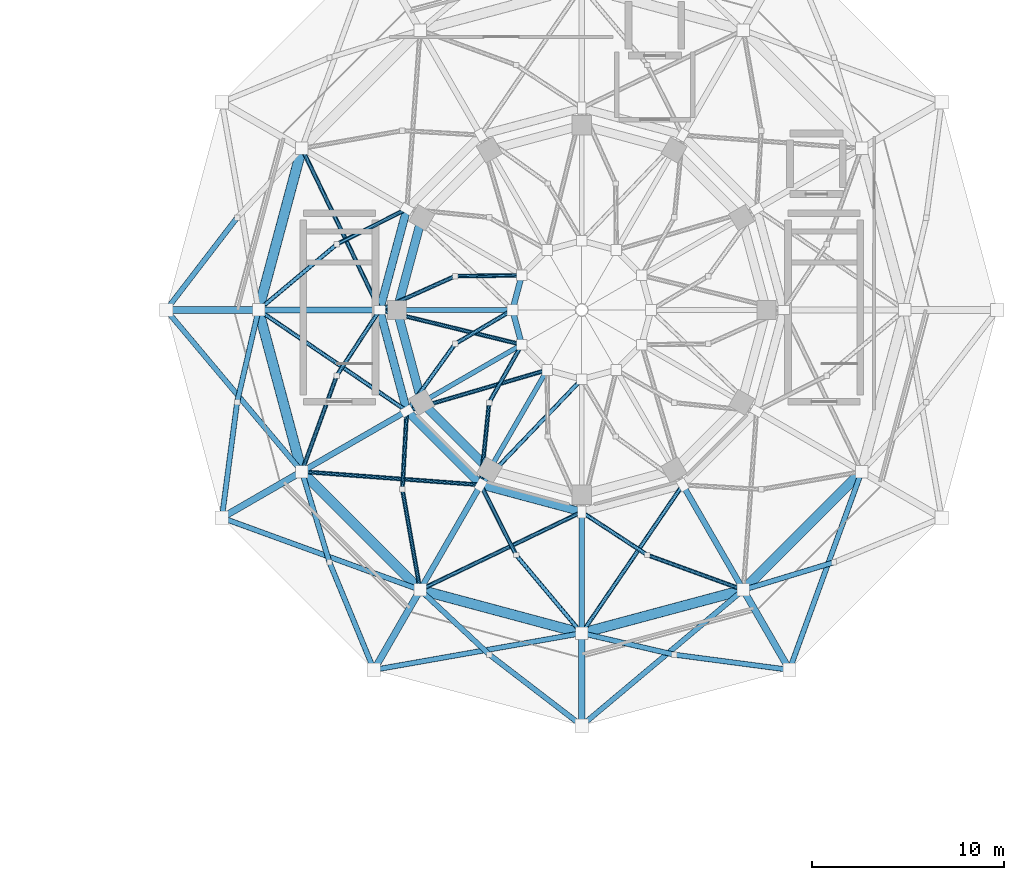
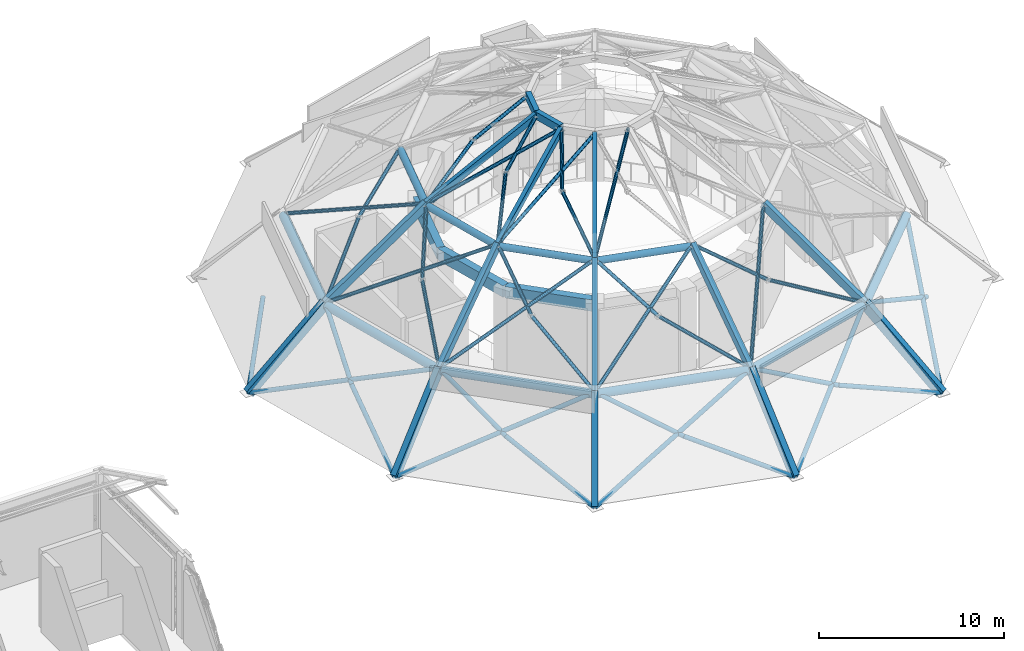
# One storey, part 21 of 32: 62 members, 5 beams.
"""IFC4 building model written with IfcOpenShell, lengths in metres."""

from ifc_helpers import new_model, si_unit, direction, frame, origin, origin_2d, place, context, subcontext, project, spatial, rectangle, hollow_rectangle, hollow_circle, extrude, material, material_profile, profile_set, type_object, element, save


model = new_model("IFC4")

# Units and contexts
model_context = context("Model", 3, precision=1e-05, world=origin(), true_north=direction((0.0, 1.0)))
body_context = subcontext(model_context, "Body", "Model", "MODEL_VIEW")
ifc_project = project(units=[si_unit("LENGTHUNIT", "METRE"), si_unit("AREAUNIT", "SQUARE_METRE"), si_unit("VOLUMEUNIT", "CUBIC_METRE"), si_unit("PLANEANGLEUNIT", "RADIAN"), si_unit("MASSUNIT", "GRAM", prefix="KILO")], contexts=[model_context])

# Site, building, storey
site_placement = place(None, origin())
site = spatial("IfcSite", under=ifc_project, at=site_placement, CompositionType="ELEMENT")
building_placement = place(site_placement, origin())
building = spatial("IfcBuilding", under=site, at=building_placement, Name="Haizhuo Lancet Aquarium", CompositionType="ELEMENT")
storey_placement = place(building_placement, frame((0.0, 0.0, 27.0)))
storey = spatial("IfcBuildingStorey", under=building, at=storey_placement, Name="L05", CompositionType="ELEMENT", Elevation=27.0)

# Beams
ifc_material_1 = material(Name="Steel S355", Category="steel")
ifc_material_profile_1 = material_profile(ifc_material_1, hollow_rectangle(XDim=0.300048828125, YDim=0.5, WallThickness=0.01611328125, at=origin_2d()), Name="RHS 300x500x16")
ifc_profile_set_1 = profile_set([ifc_material_profile_1], Name="Steel S355")
beam_type_1 = type_object("IfcBeamType", Name="BM-CR-RHS300x500", PredefinedType="USERDEFINED", material=ifc_profile_set_1)
for number, where, z_axis, x_axis, name in (
    (1, (-3.117919921875, 1.800048828125, 12.050048828125), (-0.258746999554, -0.965945127956, 0.0), (0.965945127956, -0.258746999554, 0.0), "Ocean Hall dome crown compression ring CR-1 seg 6"),
    (2, (-3.60009765625, 0.0, 12.050048828125), (0.258746999554, -0.965945127956, 0.0), (0.965945127956, 0.258746999554, 0.0), "Ocean Hall dome crown compression ring CR-1 seg 7"),
):
    element("IfcBeam", number, at=place(storey_placement, frame(where, z_axis=z_axis, x_axis=x_axis)), inside=storey, type_object=beam_type_1, Name=name, ObjectType="RING BEAM", PredefinedType="USERDEFINED", context=body_context, shape_type="SweptSolid", body=[
        extrude(hollow_rectangle(XDim=0.300048828125, YDim=0.5, WallThickness=0.01611328125, at=origin_2d()), origin(), (0.0, 0.0, 1.0), 1.863525390625),
    ])
ifc_material_2 = material(Name="Concrete C40/50", Category="concrete")
ifc_material_profile_2 = material_profile(ifc_material_2, rectangle(XDim=0.449951171875, YDim=0.75, at=origin_2d()), Name="RC-BM 450x750")
ifc_profile_set_2 = profile_set([ifc_material_profile_2], Name="Concrete C40/50")
beam_type_2 = type_object("IfcBeamType", Name="BM-RC-450x750", PredefinedType="BEAM", material=ifc_profile_set_2)
for number, where, z_axis, x_axis, name in (
    (3, (-8.31396484375, 4.800048828125, 5.02490234375), (-0.258812211902, -0.965927657214, 0.0), (0.965927657214, -0.258812211902, 0.0), "L05 inner observation ring beam 6"),
    (4, (-9.60009765625, 0.0, 5.02490234375), (0.258812211902, -0.965927657214, 0.0), (0.965927657214, 0.258812211902, 0.0), "L05 inner observation ring beam 7"),
    (5, (-8.31396484375, -4.800048828125, 5.02490234375), (0.707106781187, -0.707106781187, 0.0), (0.707106781187, 0.707106781187, 0.0), "L05 inner observation ring beam 8"),
):
    element("IfcBeam", number, at=place(storey_placement, frame(where, z_axis=z_axis, x_axis=x_axis)), inside=storey, type_object=beam_type_2, Name=name, PredefinedType="BEAM", context=body_context, shape_type="SweptSolid", body=[
        extrude(rectangle(XDim=0.449951171875, YDim=0.75, at=origin_2d()), origin(), (0.0, 0.0, 1.0), 4.969482421875),
    ])

# Members
ifc_material_profile_3 = material_profile(ifc_material_1, hollow_circle(Radius=0.109619140625, WallThickness=0.010009765625, at=origin_2d()), Name="CHS 219x10")
ifc_profile_set_3 = profile_set([ifc_material_profile_3], Name="Steel S355")
member_type_1 = type_object("IfcMemberType", Name="MEM-DB-CHS219", PredefinedType="BRACE", material=ifc_profile_set_3)
member_1_placement = place(storey_placement, frame((-14.549072265625, 8.39990234375, 4.25), z_axis=(0.393509606878, -0.816345585423, 0.422764798032), x_axis=(0.900805623694, 0.43422255621, 0.0)))
element("IfcMember", 6, at=member_1_placement, inside=storey, type_object=member_type_1, Name="Ocean Hall dome continuous diagonal brace A tier 2 bay 6", PredefinedType="BRACE", context=body_context, shape_type="SweptSolid", body=[
    extrude(hollow_circle(Radius=0.109619140625, WallThickness=0.010009765625, at=origin_2d()), origin(), (0.0, 0.0, 1.0), 10.28955078125),
])
member_2_placement = place(storey_placement, frame((-16.800048828125, 0.0, 4.25), z_axis=(0.708564996995, 0.595082221434, 0.379226574446), x_axis=(-0.643120878366, 0.765764673911, 0.0)))
element("IfcMember", 7, at=member_2_placement, inside=storey, type_object=member_type_1, Name="Ocean Hall dome split diagonal brace B1 tier 2 bay 6", PredefinedType="BRACE", context=body_context, shape_type="SweptSolid", body=[
    extrude(hollow_circle(Radius=0.109619140625, WallThickness=0.010009765625, at=origin_2d()), origin(), (0.0, 0.0, 1.0), 5.735595703125),
])
member_3_placement = place(storey_placement, frame((-12.736083984375, 3.4130859375, 6.425048828125), z_axis=(0.787940584289, 0.397296941174, 0.470430415858), x_axis=(-0.450226927379, 0.892914169371, 0.0)))
element("IfcMember", 8, at=member_3_placement, inside=storey, type_object=member_type_1, Name="Ocean Hall dome split diagonal brace B2 tier 2 bay 6", PredefinedType="BRACE", context=body_context, shape_type="SweptSolid", body=[
    extrude(hollow_circle(Radius=0.109619140625, WallThickness=0.010009765625, at=origin_2d()), origin(), (0.0, 0.0, 1.0), 4.62353515625),
])
member_4_placement = place(storey_placement, frame((-16.800048828125, 0.0, 4.25), z_axis=(0.748982344734, -0.510203888152, 0.422749854868), x_axis=(0.562985829353, 0.826466548596, 0.0)))
element("IfcMember", 9, at=member_4_placement, inside=storey, type_object=member_type_1, Name="Ocean Hall dome continuous diagonal brace A tier 2 bay 7", PredefinedType="BRACE", context=body_context, shape_type="SweptSolid", body=[
    extrude(hollow_circle(Radius=0.109619140625, WallThickness=0.010009765625, at=origin_2d()), origin(), (0.0, 0.0, 1.0), 10.2900390625),
])
member_5_placement = place(storey_placement, frame((-14.549072265625, -8.39990234375, 4.25), z_axis=(0.316146806063, 0.869595294997, 0.379282506762), x_axis=(-0.93981760202, 0.3416765648, 0.0)))
element("IfcMember", 10, at=member_5_placement, inside=storey, type_object=member_type_1, Name="Ocean Hall dome split diagonal brace B1 tier 2 bay 7", PredefinedType="BRACE", context=body_context, shape_type="SweptSolid", body=[
    extrude(hollow_circle(Radius=0.109619140625, WallThickness=0.010009765625, at=origin_2d()), origin(), (0.0, 0.0, 1.0), 5.734619140625),
])
member_6_placement = place(storey_placement, frame((-12.736083984375, -3.4130859375, 6.425048828125), z_axis=(0.483597007113, 0.738146758319, 0.470396957787), x_axis=(-0.836469641538, 0.548013265154, 0.0)))
element("IfcMember", 11, at=member_6_placement, inside=storey, type_object=member_type_1, Name="Ocean Hall dome split diagonal brace B2 tier 2 bay 7", PredefinedType="BRACE", context=body_context, shape_type="SweptSolid", body=[
    extrude(hollow_circle(Radius=0.109619140625, WallThickness=0.010009765625, at=origin_2d()), origin(), (0.0, 0.0, 1.0), 4.623779296875),
])
member_7_placement = place(storey_placement, frame((-14.549072265625, -8.39990234375, 4.25), z_axis=(0.903732348339, -0.067360553885, 0.422765181094), x_axis=(0.074329767691, 0.997233716656, 0.0)))
element("IfcMember", 12, at=member_7_placement, inside=storey, type_object=member_type_1, Name="Ocean Hall dome continuous diagonal brace A tier 2 bay 8", PredefinedType="BRACE", context=body_context, shape_type="SweptSolid", body=[
    extrude(hollow_circle(Radius=0.109619140625, WallThickness=0.010009765625, at=origin_2d()), origin(), (0.0, 0.0, 1.0), 10.28955078125),
])
member_8_placement = place(storey_placement, frame((-8.39990234375, -14.549072265625, 4.25), z_axis=(-0.160947093564, 0.911196372611, 0.379232387349), x_axis=(-0.984756222272, -0.173940169878, 0.0)))
element("IfcMember", 13, at=member_8_placement, inside=storey, type_object=member_type_1, Name="Ocean Hall dome split diagonal brace B1 tier 2 bay 8", PredefinedType="BRACE", context=body_context, shape_type="SweptSolid", body=[
    extrude(hollow_circle(Radius=0.109619140625, WallThickness=0.010009765625, at=origin_2d()), origin(), (0.0, 0.0, 1.0), 5.7353515625),
])
member_9_placement = place(storey_placement, frame((-9.322998046875, -9.322998046875, 6.425048828125), z_axis=(0.049745957009, 0.88101040422, 0.47047423672), x_axis=(-0.998409672596, 0.056374867325, 0.0)))
element("IfcMember", 14, at=member_9_placement, inside=storey, type_object=member_type_1, Name="Ocean Hall dome split diagonal brace B2 tier 2 bay 8", PredefinedType="BRACE", context=body_context, shape_type="SweptSolid", body=[
    extrude(hollow_circle(Radius=0.109619140625, WallThickness=0.010009765625, at=origin_2d()), origin(), (0.0, 0.0, 1.0), 4.623046875),
])
member_10_placement = place(storey_placement, frame((-8.39990234375, -14.549072265625, 4.25), z_axis=(0.816345585423, 0.393509606878, 0.422764798032), x_axis=(-0.43422255621, 0.900805623694, 0.0)))
element("IfcMember", 15, at=member_10_placement, inside=storey, type_object=member_type_1, Name="Ocean Hall dome continuous diagonal brace A tier 2 bay 9", PredefinedType="BRACE", context=body_context, shape_type="SweptSolid", body=[
    extrude(hollow_circle(Radius=0.109619140625, WallThickness=0.010009765625, at=origin_2d()), origin(), (0.0, 0.0, 1.0), 10.28955078125),
])
member_11_placement = place(storey_placement, frame((0.0, -16.800048828125, 4.25), z_axis=(-0.595082221434, 0.708564996995, 0.379226574446), x_axis=(-0.765764673911, -0.643120878366, 0.0)))
element("IfcMember", 16, at=member_11_placement, inside=storey, type_object=member_type_1, Name="Ocean Hall dome split diagonal brace B1 tier 2 bay 9", PredefinedType="BRACE", context=body_context, shape_type="SweptSolid", body=[
    extrude(hollow_circle(Radius=0.109619140625, WallThickness=0.010009765625, at=origin_2d()), origin(), (0.0, 0.0, 1.0), 5.735595703125),
])
member_12_placement = place(storey_placement, frame((-3.4130859375, -12.736083984375, 6.425048828125), z_axis=(-0.397296941174, 0.787940584289, 0.470430415858), x_axis=(-0.892914169371, -0.450226927379, 0.0)))
element("IfcMember", 17, at=member_12_placement, inside=storey, type_object=member_type_1, Name="Ocean Hall dome split diagonal brace B2 tier 2 bay 9", PredefinedType="BRACE", context=body_context, shape_type="SweptSolid", body=[
    extrude(hollow_circle(Radius=0.109619140625, WallThickness=0.010009765625, at=origin_2d()), origin(), (0.0, 0.0, 1.0), 4.62353515625),
])
member_13_placement = place(storey_placement, frame((0.0, -16.800048828125, 4.25), z_axis=(0.510203888152, 0.748982344734, 0.422749854868), x_axis=(-0.826466548596, 0.562985829353, 0.0)))
element("IfcMember", 18, at=member_13_placement, inside=storey, type_object=member_type_1, Name="Ocean Hall dome continuous diagonal brace A tier 2 bay 10", PredefinedType="BRACE", context=body_context, shape_type="SweptSolid", body=[
    extrude(hollow_circle(Radius=0.109619140625, WallThickness=0.010009765625, at=origin_2d()), origin(), (0.0, 0.0, 1.0), 10.2900390625),
])
member_14_placement = place(storey_placement, frame((8.39990234375, -14.549072265625, 4.25), z_axis=(-0.869595294997, 0.316146806063, 0.379282506762), x_axis=(-0.3416765648, -0.93981760202, 0.0)))
element("IfcMember", 19, at=member_14_placement, inside=storey, type_object=member_type_1, Name="Ocean Hall dome split diagonal brace B1 tier 2 bay 10", PredefinedType="BRACE", context=body_context, shape_type="SweptSolid", body=[
    extrude(hollow_circle(Radius=0.109619140625, WallThickness=0.010009765625, at=origin_2d()), origin(), (0.0, 0.0, 1.0), 5.734619140625),
])
member_15_placement = place(storey_placement, frame((3.4130859375, -12.736083984375, 6.425048828125), z_axis=(-0.738146758319, 0.483597007113, 0.470396957787), x_axis=(-0.548013265154, -0.836469641538, 0.0)))
element("IfcMember", 20, at=member_15_placement, inside=storey, type_object=member_type_1, Name="Ocean Hall dome split diagonal brace B2 tier 2 bay 10", PredefinedType="BRACE", context=body_context, shape_type="SweptSolid", body=[
    extrude(hollow_circle(Radius=0.109619140625, WallThickness=0.010009765625, at=origin_2d()), origin(), (0.0, 0.0, 1.0), 4.623779296875),
])
member_16_placement = place(storey_placement, frame((-10.5, 0.0, 8.60009765625), z_axis=(0.846601621079, 0.380325172694, 0.372314998626), x_axis=(-0.409786163738, 0.912181615693, 0.0)))
element("IfcMember", 21, at=member_16_placement, inside=storey, type_object=member_type_1, Name="Ocean Hall dome split diagonal brace B1 tier 3 bay 6", PredefinedType="BRACE", context=body_context, shape_type="SweptSolid", body=[
    extrude(hollow_circle(Radius=0.109619140625, WallThickness=0.010009765625, at=origin_2d()), origin(), (0.0, 0.0, 1.0), 4.6328125),
])
member_17_placement = place(storey_placement, frame((-6.577880859375, 1.761962890625, 10.324951171875), z_axis=(0.894888382869, 0.009850591852, 0.446181295043), x_axis=(-0.011006953837, 0.999939421649, 0.0)))
element("IfcMember", 22, at=member_17_placement, inside=storey, type_object=member_type_1, Name="Ocean Hall dome split diagonal brace B2 tier 3 bay 6", PredefinedType="BRACE", context=body_context, shape_type="SweptSolid", body=[
    extrude(hollow_circle(Radius=0.109619140625, WallThickness=0.010009765625, at=origin_2d()), origin(), (0.0, 0.0, 1.0), 3.866455078125),
])
member_18_placement = place(storey_placement, frame((-10.5, 0.0, 8.60009765625), z_axis=(0.884621188184, -0.215706320749, 0.413420048624), x_axis=(0.236899225018, 0.97153422852, 0.0)))
element("IfcMember", 23, at=member_18_placement, inside=storey, type_object=member_type_1, Name="Ocean Hall dome continuous diagonal brace A tier 3 bay 7", PredefinedType="BRACE", context=body_context, shape_type="SweptSolid", body=[
    extrude(hollow_circle(Radius=0.109619140625, WallThickness=0.010009765625, at=origin_2d()), origin(), (0.0, 0.0, 1.0), 8.344970703125),
])
member_19_placement = place(storey_placement, frame((-9.093017578125, -5.25, 8.60009765625), z_axis=(0.542839593795, 0.752819770584, 0.372273512926), x_axis=(-0.811120632133, 0.584878893556, 0.0)))
element("IfcMember", 24, at=member_19_placement, inside=storey, type_object=member_type_1, Name="Ocean Hall dome split diagonal brace B1 tier 3 bay 7", PredefinedType="BRACE", context=body_context, shape_type="SweptSolid", body=[
    extrude(hollow_circle(Radius=0.109619140625, WallThickness=0.010009765625, at=origin_2d()), origin(), (0.0, 0.0, 1.0), 4.63330078125),
])
member_20_placement = place(storey_placement, frame((-6.577880859375, -1.761962890625, 10.324951171875), z_axis=(0.770205037634, 0.455732537231, 0.446197326877), x_axis=(-0.509235574509, 0.860627172273, 0.0)))
element("IfcMember", 25, at=member_20_placement, inside=storey, type_object=member_type_1, Name="Ocean Hall dome split diagonal brace B2 tier 3 bay 7", PredefinedType="BRACE", context=body_context, shape_type="SweptSolid", body=[
    extrude(hollow_circle(Radius=0.109619140625, WallThickness=0.010009765625, at=origin_2d()), origin(), (0.0, 0.0, 1.0), 3.8662109375),
])
member_21_placement = place(storey_placement, frame((-9.093017578125, -5.25, 8.60009765625), z_axis=(0.87395598208, 0.255498714231, 0.41342635186), x_axis=(-0.28060205853, 0.959824194709, 0.0)))
element("IfcMember", 26, at=member_21_placement, inside=storey, type_object=member_type_1, Name="Ocean Hall dome continuous diagonal brace A tier 3 bay 8", PredefinedType="BRACE", context=body_context, shape_type="SweptSolid", body=[
    extrude(hollow_circle(Radius=0.109619140625, WallThickness=0.010009765625, at=origin_2d()), origin(), (0.0, 0.0, 1.0), 8.3447265625),
])
member_22_placement = place(storey_placement, frame((-5.25, -9.093017578125, 8.60009765625), z_axis=(0.093900701604, 0.923356899106, 0.372283084642), x_axis=(-0.994868837291, 0.101173102097, 0.0)))
element("IfcMember", 27, at=member_22_placement, inside=storey, type_object=member_type_1, Name="Ocean Hall dome split diagonal brace B1 tier 3 bay 8", PredefinedType="BRACE", context=body_context, shape_type="SweptSolid", body=[
    extrude(hollow_circle(Radius=0.109619140625, WallThickness=0.010009765625, at=origin_2d()), origin(), (0.0, 0.0, 1.0), 4.633056640625),
])
member_23_placement = place(storey_placement, frame((-4.81494140625, -4.81494140625, 10.324951171875), z_axis=(0.438968404685, 0.779862009705, 0.446230865704), x_axis=(-0.871434157136, 0.490512497065, 0.0)))
element("IfcMember", 28, at=member_23_placement, inside=storey, type_object=member_type_1, Name="Ocean Hall dome split diagonal brace B2 tier 3 bay 8", PredefinedType="BRACE", context=body_context, shape_type="SweptSolid", body=[
    extrude(hollow_circle(Radius=0.109619140625, WallThickness=0.010009765625, at=origin_2d()), origin(), (0.0, 0.0, 1.0), 3.865966796875),
])
member_24_placement = place(storey_placement, frame((-5.25, -9.093017578125, 8.60009765625), z_axis=(0.629129137483, 0.658239232898, 0.413421867642), x_axis=(-0.722911155551, 0.690940996887, 0.0)))
element("IfcMember", 29, at=member_24_placement, inside=storey, type_object=member_type_1, Name="Ocean Hall dome continuous diagonal brace A tier 3 bay 9", PredefinedType="BRACE", context=body_context, shape_type="SweptSolid", body=[
    extrude(hollow_circle(Radius=0.109619140625, WallThickness=0.010009765625, at=origin_2d()), origin(), (0.0, 0.0, 1.0), 8.344970703125),
])
ifc_material_profile_4 = material_profile(ifc_material_1, hollow_circle(Radius=0.136474609375, WallThickness=0.011962890625, at=origin_2d()), Name="CHS 273x12")
ifc_profile_set_4 = profile_set([ifc_material_profile_4], Name="Steel S355")
member_type_2 = type_object("IfcMemberType", Name="MEM-DB-CHS273", PredefinedType="BRACE", material=ifc_profile_set_4)
member_25_placement = place(storey_placement, frame((-21.60009765625, 0.0, 0.0), z_axis=(0.574661053611, 0.74833825507, 0.331292211593), x_axis=(-0.793127595343, 0.609055512664, 0.0)))
element("IfcMember", 30, at=member_25_placement, inside=storey, type_object=member_type_2, Name="Ocean Hall dome split diagonal brace B1 tier 1 bay 6", PredefinedType="BRACE", context=body_context, shape_type="SweptSolid", body=[
    extrude(hollow_circle(Radius=0.136474609375, WallThickness=0.011962890625, at=origin_2d()), origin(), (0.0, 0.0, 1.0), 6.414306640625),
])
member_26_placement = place(storey_placement, frame((-21.60009765625, 0.0, 0.0), z_axis=(0.59948982626, -0.714173573017, 0.361342020551), x_axis=(0.765924531019, 0.642930488298, 0.0)))
element("IfcMember", 31, at=member_26_placement, inside=storey, type_object=member_type_2, Name="Ocean Hall dome continuous diagonal brace A tier 1 bay 7", PredefinedType="BRACE", context=body_context, shape_type="SweptSolid", body=[
    extrude(hollow_circle(Radius=0.136474609375, WallThickness=0.011962890625, at=origin_2d()), origin(), (0.0, 0.0, 1.0), 11.76171875),
])
member_27_placement = place(storey_placement, frame((-18.7060546875, -10.800048828125, 0.0), z_axis=(0.123473446542, 0.935414125222, 0.331292502683), x_axis=(-0.991400387629, 0.130863560281, 0.0)))
element("IfcMember", 32, at=member_27_placement, inside=storey, type_object=member_type_2, Name="Ocean Hall dome split diagonal brace B1 tier 1 bay 7", PredefinedType="BRACE", context=body_context, shape_type="SweptSolid", body=[
    extrude(hollow_circle(Radius=0.136474609375, WallThickness=0.011962890625, at=origin_2d()), origin(), (0.0, 0.0, 1.0), 6.414306640625),
])
member_28_placement = place(storey_placement, frame((-17.9140625, -4.800048828125, 2.125), z_axis=(0.207594570733, 0.894481011437, 0.395990169551), x_axis=(-0.974109866118, 0.226075139571, 0.0)))
element("IfcMember", 33, at=member_28_placement, inside=storey, type_object=member_type_2, Name="Ocean Hall dome split diagonal brace B2 tier 1 bay 7", PredefinedType="BRACE", context=body_context, shape_type="SweptSolid", body=[
    extrude(hollow_circle(Radius=0.136474609375, WallThickness=0.011962890625, at=origin_2d()), origin(), (0.0, 0.0, 1.0), 5.3662109375),
])
member_29_placement = place(storey_placement, frame((-18.7060546875, -10.800048828125, 0.0), z_axis=(0.876256756089, -0.318752043078, 0.361346416118), x_axis=(0.341850306895, 0.939754418811, 0.0)))
element("IfcMember", 34, at=member_29_placement, inside=storey, type_object=member_type_2, Name="Ocean Hall dome continuous diagonal brace A tier 1 bay 8", PredefinedType="BRACE", context=body_context, shape_type="SweptSolid", body=[
    extrude(hollow_circle(Radius=0.136474609375, WallThickness=0.011962890625, at=origin_2d()), origin(), (0.0, 0.0, 1.0), 11.761474609375),
])
member_30_placement = place(storey_placement, frame((-10.800048828125, -18.7060546875, 0.0), z_axis=(-0.360760877584, 0.871832443665, 0.33130013489), x_axis=(-0.924015849485, -0.382354168148, 0.0)))
element("IfcMember", 35, at=member_30_placement, inside=storey, type_object=member_type_2, Name="Ocean Hall dome split diagonal brace B1 tier 1 bay 8", PredefinedType="BRACE", context=body_context, shape_type="SweptSolid", body=[
    extrude(hollow_circle(Radius=0.136474609375, WallThickness=0.011962890625, at=origin_2d()), origin(), (0.0, 0.0, 1.0), 6.4140625),
])
member_31_placement = place(storey_placement, frame((-13.114013671875, -13.114013671875, 2.125), z_axis=(-0.267417298533, 0.878455361923, 0.395985057236), x_axis=(-0.95665527785, -0.291222731535, 0.0)))
element("IfcMember", 36, at=member_31_placement, inside=storey, type_object=member_type_2, Name="Ocean Hall dome split diagonal brace B2 tier 1 bay 8", PredefinedType="BRACE", context=body_context, shape_type="SweptSolid", body=[
    extrude(hollow_circle(Radius=0.136474609375, WallThickness=0.011962890625, at=origin_2d()), origin(), (0.0, 0.0, 1.0), 5.366455078125),
])
member_32_placement = place(storey_placement, frame((-10.800048828125, -18.7060546875, 0.0), z_axis=(0.918242656278, 0.162052589858, 0.361343856059), x_axis=(-0.173795493508, 0.984781765893, 0.0)))
element("IfcMember", 37, at=member_32_placement, inside=storey, type_object=member_type_2, Name="Ocean Hall dome continuous diagonal brace A tier 1 bay 9", PredefinedType="BRACE", context=body_context, shape_type="SweptSolid", body=[
    extrude(hollow_circle(Radius=0.136474609375, WallThickness=0.011962890625, at=origin_2d()), origin(), (0.0, 0.0, 1.0), 11.76171875),
])
member_33_placement = place(storey_placement, frame((0.0, -21.60009765625, 0.0), z_axis=(-0.74833825507, 0.574661053611, 0.331292211593), x_axis=(-0.609055512664, -0.793127595343, 0.0)))
element("IfcMember", 38, at=member_33_placement, inside=storey, type_object=member_type_2, Name="Ocean Hall dome split diagonal brace B1 tier 1 bay 9", PredefinedType="BRACE", context=body_context, shape_type="SweptSolid", body=[
    extrude(hollow_circle(Radius=0.136474609375, WallThickness=0.011962890625, at=origin_2d()), origin(), (0.0, 0.0, 1.0), 6.414306640625),
])
member_34_placement = place(storey_placement, frame((-4.800048828125, -17.9140625, 2.125), z_axis=(-0.670819539357, 0.627053625701, 0.395985979692), x_axis=(-0.682874106521, -0.730536073471, 0.0)))
element("IfcMember", 39, at=member_34_placement, inside=storey, type_object=member_type_2, Name="Ocean Hall dome split diagonal brace B2 tier 1 bay 9", PredefinedType="BRACE", context=body_context, shape_type="SweptSolid", body=[
    extrude(hollow_circle(Radius=0.136474609375, WallThickness=0.011962890625, at=origin_2d()), origin(), (0.0, 0.0, 1.0), 5.366455078125),
])
member_35_placement = place(storey_placement, frame((0.0, -21.60009765625, 0.0), z_axis=(0.714173573017, 0.59948982626, 0.361342020551), x_axis=(-0.642930488298, 0.765924531019, 0.0)))
element("IfcMember", 40, at=member_35_placement, inside=storey, type_object=member_type_2, Name="Ocean Hall dome continuous diagonal brace A tier 1 bay 10", PredefinedType="BRACE", context=body_context, shape_type="SweptSolid", body=[
    extrude(hollow_circle(Radius=0.136474609375, WallThickness=0.011962890625, at=origin_2d()), origin(), (0.0, 0.0, 1.0), 11.76171875),
])
member_36_placement = place(storey_placement, frame((10.800048828125, -18.7060546875, 0.0), z_axis=(-0.935414125222, 0.123473446542, 0.331292502683), x_axis=(-0.130863560281, -0.991400387629, 0.0)))
element("IfcMember", 41, at=member_36_placement, inside=storey, type_object=member_type_2, Name="Ocean Hall dome split diagonal brace B1 tier 1 bay 10", PredefinedType="BRACE", context=body_context, shape_type="SweptSolid", body=[
    extrude(hollow_circle(Radius=0.136474609375, WallThickness=0.011962890625, at=origin_2d()), origin(), (0.0, 0.0, 1.0), 6.414306640625),
])
member_37_placement = place(storey_placement, frame((4.800048828125, -17.9140625, 2.125), z_axis=(-0.894481011437, 0.207594570733, 0.395990169551), x_axis=(-0.226075139571, -0.974109866118, 0.0)))
element("IfcMember", 42, at=member_37_placement, inside=storey, type_object=member_type_2, Name="Ocean Hall dome split diagonal brace B2 tier 1 bay 10", PredefinedType="BRACE", context=body_context, shape_type="SweptSolid", body=[
    extrude(hollow_circle(Radius=0.136474609375, WallThickness=0.011962890625, at=origin_2d()), origin(), (0.0, 0.0, 1.0), 5.3662109375),
])
member_38_placement = place(storey_placement, frame((10.800048828125, -18.7060546875, 0.0), z_axis=(0.318752043078, 0.876256756089, 0.361346416118), x_axis=(-0.939754418811, 0.341850306895, 0.0)))
element("IfcMember", 43, at=member_38_placement, inside=storey, type_object=member_type_2, Name="Ocean Hall dome continuous diagonal brace A tier 1 bay 11", PredefinedType="BRACE", context=body_context, shape_type="SweptSolid", body=[
    extrude(hollow_circle(Radius=0.136474609375, WallThickness=0.011962890625, at=origin_2d()), origin(), (0.0, 0.0, 1.0), 11.761474609375),
])
member_39_placement = place(storey_placement, frame((13.114013671875, -13.114013671875, 2.125), z_axis=(-0.878455361923, -0.267417298533, 0.395985057236), x_axis=(0.291222731535, -0.95665527785, 0.0)))
element("IfcMember", 44, at=member_39_placement, inside=storey, type_object=member_type_2, Name="Ocean Hall dome split diagonal brace B2 tier 1 bay 11", PredefinedType="BRACE", context=body_context, shape_type="SweptSolid", body=[
    extrude(hollow_circle(Radius=0.136474609375, WallThickness=0.011962890625, at=origin_2d()), origin(), (0.0, 0.0, 1.0), 5.366455078125),
])
ifc_material_profile_5 = material_profile(ifc_material_1, hollow_rectangle(XDim=0.25, YDim=0.39990234375, WallThickness=0.013916015625, at=origin_2d()), Name="RHS 250x400x14")
ifc_profile_set_5 = profile_set([ifc_material_profile_5], Name="Steel S355")
member_type_3 = type_object("IfcMemberType", Name="MEM-DR-RHS250x400", PredefinedType="USERDEFINED", material=ifc_profile_set_5)
member_40_placement = place(storey_placement, frame((-10.5, 0.0, 8.60009765625), z_axis=(0.894427191, 0.0, 0.4472135955), x_axis=(0.0, 1.0, 0.0)))
element("IfcMember", 45, at=member_40_placement, inside=storey, type_object=member_type_3, Name="Ocean Hall dome arch rib DR-3 bay 7", ObjectType="ARCH_SEGMENT", PredefinedType="USERDEFINED", context=body_context, shape_type="SweptSolid", body=[
    extrude(hollow_rectangle(XDim=0.25, YDim=0.39990234375, WallThickness=0.013916015625, at=origin_2d()), origin(), (0.0, 0.0, 1.0), 7.71435546875),
])
for number, where, z_axis, x_axis, name in (
    (46, (-9.093017578125, -5.25, 8.60009765625), (0.774576287403, 0.44723124611, 0.44723124611), (-0.500024667842, 0.866011161331, 0.0), "Ocean Hall dome arch rib DR-3 bay 8"),
    (47, (-5.25, -9.093017578125, 8.60009765625), (0.44723124611, 0.774576287403, 0.44723124611), (-0.866011161331, 0.500024667842, 0.0), "Ocean Hall dome arch rib DR-3 bay 9"),
):
    element("IfcMember", number, at=place(storey_placement, frame(where, z_axis=z_axis, x_axis=x_axis)), inside=storey, type_object=member_type_3, Name=name, ObjectType="ARCH_SEGMENT", PredefinedType="USERDEFINED", context=body_context, shape_type="SweptSolid", body=[
        extrude(hollow_rectangle(XDim=0.25, YDim=0.39990234375, WallThickness=0.013916015625, at=origin_2d()), origin(), (0.0, 0.0, 1.0), 7.714111328125),
    ])
ifc_material_profile_6 = material_profile(ifc_material_1, hollow_rectangle(XDim=0.300048828125, YDim=0.5, WallThickness=0.01611328125, at=origin_2d()), Name="RHS 300x500x16")
ifc_profile_set_6 = profile_set([ifc_material_profile_6], Name="Steel S355")
member_type_4 = type_object("IfcMemberType", Name="MEM-DR-RHS300x500", PredefinedType="USERDEFINED", material=ifc_profile_set_6)
for number, where, z_axis, x_axis, name in (
    (48, (-16.800048828125, 0.0, 4.25), (0.82289299557, 0.0, 0.568196372605), (0.0, 1.0, 0.0), "Ocean Hall dome arch rib DR-2 bay 7"),
    (49, (-14.549072265625, -8.39990234375, 4.25), (0.712654279419, 0.411431247229, 0.568197330889), (-0.499981869177, 0.866035871367, 0.0), "Ocean Hall dome arch rib DR-2 bay 8"),
    (50, (-8.39990234375, -14.549072265625, 4.25), (0.411431247229, 0.712654279419, 0.568197330889), (-0.866035871367, 0.499981869177, 0.0), "Ocean Hall dome arch rib DR-2 bay 9"),
    (51, (0.0, -16.800048828125, 4.25), (0.0, 0.82289299557, 0.568196372605), (-1.0, 0.0, 0.0), "Ocean Hall dome arch rib DR-2 bay 10"),
    (52, (8.39990234375, -14.549072265625, 4.25), (-0.411431247229, 0.712654279419, 0.568197330889), (-0.866035871367, -0.499981869177, 0.0), "Ocean Hall dome arch rib DR-2 bay 11"),
):
    element("IfcMember", number, at=place(storey_placement, frame(where, z_axis=z_axis, x_axis=x_axis)), inside=storey, type_object=member_type_4, Name=name, ObjectType="ARCH_SEGMENT", PredefinedType="USERDEFINED", context=body_context, shape_type="SweptSolid", body=[
        extrude(hollow_rectangle(XDim=0.300048828125, YDim=0.5, WallThickness=0.01611328125, at=origin_2d()), origin(), (0.0, 0.0, 1.0), 7.656005859375),
    ])
ifc_material_profile_7 = material_profile(ifc_material_1, hollow_rectangle(XDim=0.35009765625, YDim=0.60009765625, WallThickness=0.02001953125, at=origin_2d()), Name="RHS 350x600x20")
ifc_profile_set_7 = profile_set([ifc_material_profile_7], Name="Steel S355")
member_type_5 = type_object("IfcMemberType", Name="MEM-DR-RHS350x600", PredefinedType="USERDEFINED", material=ifc_profile_set_7)
for number, where, z_axis, x_axis, name in (
    (53, (-21.60009765625, 0.0, 0.0), (0.74870211469, 0.0, 0.66290658728), (0.0, 1.0, 0.0), "Ocean Hall dome arch rib DR-1 bay 7"),
    (54, (-18.7060546875, -10.800048828125, 0.0), (0.648392074602, 0.374366740202, 0.662900642196), (-0.500017431331, 0.866015339567, 0.0), "Ocean Hall dome arch rib DR-1 bay 8"),
    (55, (-10.800048828125, -18.7060546875, 0.0), (0.374366740202, 0.648392074602, 0.662900642196), (-0.866015339567, 0.500017431331, 0.0), "Ocean Hall dome arch rib DR-1 bay 9"),
    (56, (0.0, -21.60009765625, 0.0), (0.0, 0.74870211469, 0.66290658728), (-1.0, 0.0, 0.0), "Ocean Hall dome arch rib DR-1 bay 10"),
    (57, (10.800048828125, -18.7060546875, 0.0), (-0.374366740202, 0.648392074602, 0.662900642196), (-0.866015339567, -0.500017431331, 0.0), "Ocean Hall dome arch rib DR-1 bay 11"),
):
    element("IfcMember", number, at=place(storey_placement, frame(where, z_axis=z_axis, x_axis=x_axis)), inside=storey, type_object=member_type_5, Name=name, ObjectType="ARCH_SEGMENT", PredefinedType="USERDEFINED", context=body_context, shape_type="SweptSolid", body=[
        extrude(hollow_rectangle(XDim=0.35009765625, YDim=0.60009765625, WallThickness=0.02001953125, at=origin_2d()), origin(), (0.0, 0.0, 1.0), 6.4111328125),
    ])
ifc_material_profile_8 = material_profile(ifc_material_1, hollow_circle(Radius=0.212890625, WallThickness=0.01611328125, at=origin_2d()), Name="CHS 426x16")
ifc_profile_set_8 = profile_set([ifc_material_profile_8], Name="Steel S355")
member_type_6 = type_object("IfcMemberType", Name="MEM-PR-CHS426", PredefinedType="PURLIN", material=ifc_profile_set_8)
for number, where, z_axis, x_axis, name in (
    (58, (-9.093017578125, 5.25, 8.47998046875), (-0.258861815711, -0.965914364924, 0.0), (0.965914364924, -0.258861815711, 0.0), "Ocean Hall dome hoop purlin ring R2 seg 6"),
    (59, (-10.5, 0.0, 8.47998046875), (0.258861815711, -0.965914364924, 0.0), (0.965914364924, 0.258861815711, 0.0), "Ocean Hall dome hoop purlin ring R2 seg 7"),
):
    element("IfcMember", number, at=place(storey_placement, frame(where, z_axis=z_axis, x_axis=x_axis)), inside=storey, type_object=member_type_6, Name=name, PredefinedType="PURLIN", context=body_context, shape_type="SweptSolid", body=[
        extrude(hollow_circle(Radius=0.212890625, WallThickness=0.01611328125, at=origin_2d()), origin(), (0.0, 0.0, 1.0), 5.435302734375),
    ])
member_41_placement = place(storey_placement, frame((-9.093017578125, -5.25, 8.47998046875), z_axis=(0.707106781187, -0.707106781187, 0.0), x_axis=(0.707106781187, 0.707106781187, 0.0)))
element("IfcMember", 60, at=member_41_placement, inside=storey, type_object=member_type_6, Name="Ocean Hall dome hoop purlin ring R2 seg 8", PredefinedType="PURLIN", context=body_context, shape_type="SweptSolid", body=[
    extrude(hollow_circle(Radius=0.212890625, WallThickness=0.01611328125, at=origin_2d()), origin(), (0.0, 0.0, 1.0), 5.434814453125),
])
member_42_placement = place(storey_placement, frame((-5.25, -9.093017578125, 8.47998046875), z_axis=(0.965914364924, -0.258861815711, 0.0), x_axis=(0.258861815711, 0.965914364924, 0.0)))
element("IfcMember", 61, at=member_42_placement, inside=storey, type_object=member_type_6, Name="Ocean Hall dome hoop purlin ring R2 seg 9", PredefinedType="PURLIN", context=body_context, shape_type="SweptSolid", body=[
    extrude(hollow_circle(Radius=0.212890625, WallThickness=0.01611328125, at=origin_2d()), origin(), (0.0, 0.0, 1.0), 5.435302734375),
])
ifc_material_profile_9 = material_profile(ifc_material_1, hollow_circle(Radius=0.264892578125, WallThickness=0.02001953125, at=origin_2d()), Name="CHS 530x20")
ifc_profile_set_9 = profile_set([ifc_material_profile_9], Name="Steel S355")
member_type_7 = type_object("IfcMemberType", Name="MEM-PR-CHS530", PredefinedType="PURLIN", material=ifc_profile_set_9)
for number, where, z_axis, x_axis, name in (
    (62, (-14.549072265625, 8.39990234375, 4.1298828125), (-0.258843669177, -0.965919227952, 0.0), (0.965919227952, -0.258843669177, 0.0), "Ocean Hall dome hoop purlin ring R1 seg 6"),
    (63, (-16.800048828125, 0.0, 4.1298828125), (0.258843669177, -0.965919227952, 0.0), (0.965919227952, 0.258843669177, 0.0), "Ocean Hall dome hoop purlin ring R1 seg 7"),
    (64, (-14.549072265625, -8.39990234375, 4.1298828125), (0.707106781187, -0.707106781187, 0.0), (0.707106781187, 0.707106781187, 0.0), "Ocean Hall dome hoop purlin ring R1 seg 8"),
    (65, (-8.39990234375, -14.549072265625, 4.1298828125), (0.965919227952, -0.258843669177, 0.0), (0.258843669177, 0.965919227952, 0.0), "Ocean Hall dome hoop purlin ring R1 seg 9"),
    (66, (0.0, -16.800048828125, 4.1298828125), (0.965919227952, 0.258843669177, 0.0), (-0.258843669177, 0.965919227952, 0.0), "Ocean Hall dome hoop purlin ring R1 seg 10"),
    (67, (8.39990234375, -14.549072265625, 4.1298828125), (0.707106781187, 0.707106781187, 0.0), (-0.707106781187, 0.707106781187, 0.0), "Ocean Hall dome hoop purlin ring R1 seg 11"),
):
    element("IfcMember", number, at=place(storey_placement, frame(where, z_axis=z_axis, x_axis=x_axis)), inside=storey, type_object=member_type_7, Name=name, PredefinedType="PURLIN", context=body_context, shape_type="SweptSolid", body=[
        extrude(hollow_circle(Radius=0.264892578125, WallThickness=0.02001953125, at=origin_2d()), origin(), (0.0, 0.0, 1.0), 8.6962890625),
    ])

save(model, "model.ifc")
